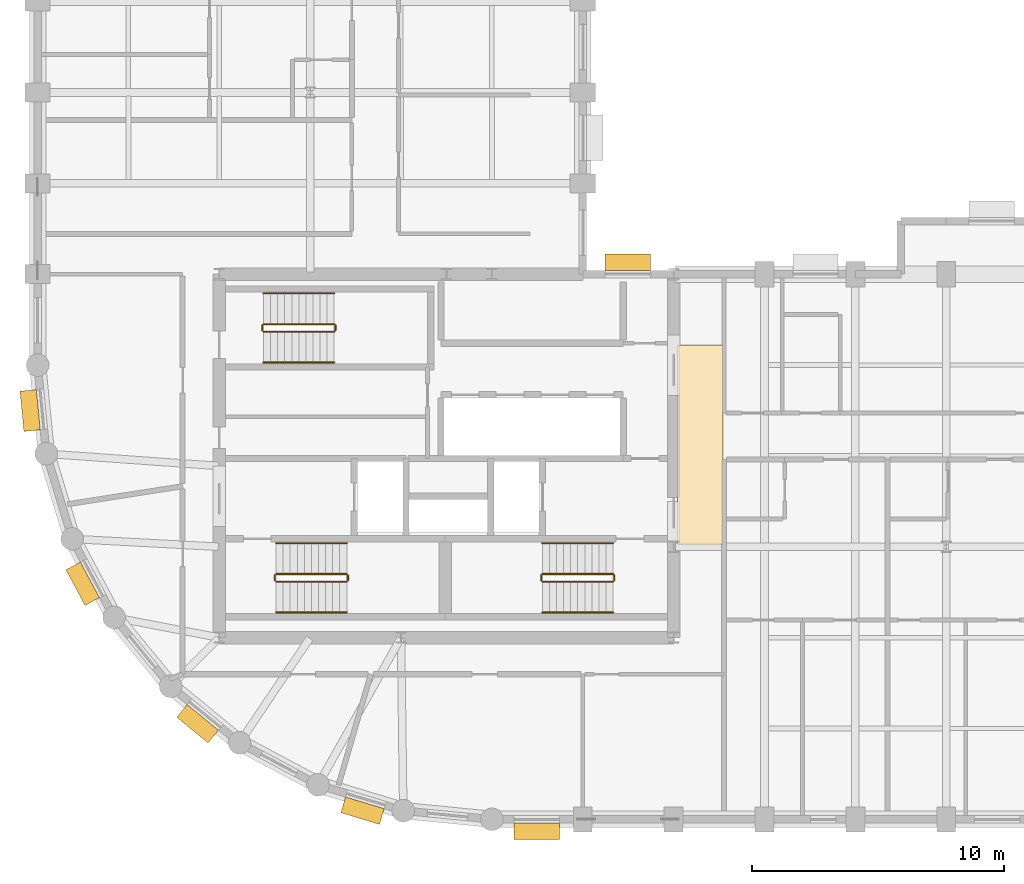
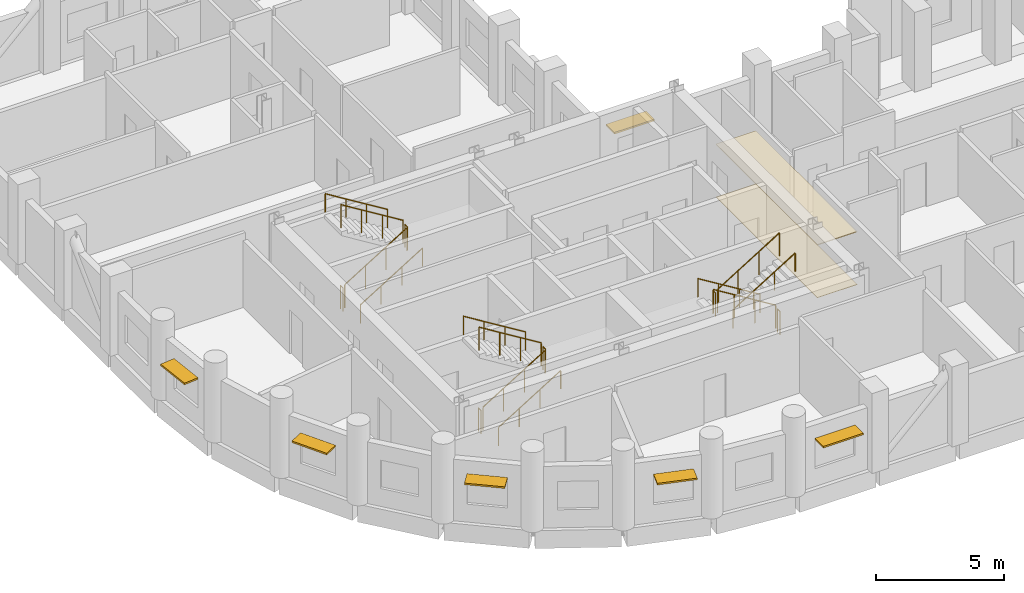
# One storey, part 8 of 9: 18 railings, 6 shading devices, 2 coverings.
"""IFC4 building model written with IfcOpenShell, lengths in metres."""

from ifc_helpers import new_model, si_unit, direction, frame, origin, origin_2d, place, context, subcontext, project, spatial, polyline, rectangle, circle, outline, extrude, material, layer, layer_set, type_object, element, save


model = new_model("IFC4")

# Units and contexts
model_context = context("Model", 3, precision=1e-05, world=origin(), true_north=direction((0.0, 1.0)))
body_context = subcontext(model_context, "Body", "Model", "MODEL_VIEW")
ifc_project = project(units=[si_unit("LENGTHUNIT", "METRE"), si_unit("AREAUNIT", "SQUARE_METRE"), si_unit("VOLUMEUNIT", "CUBIC_METRE"), si_unit("PLANEANGLEUNIT", "RADIAN"), si_unit("MASSUNIT", "GRAM", prefix="KILO")], contexts=[model_context])

# Site, building, storey
site_placement = place(None, origin())
site = spatial("IfcSite", under=ifc_project, at=site_placement, CompositionType="ELEMENT")
building_placement = place(site_placement, origin())
building = spatial("IfcBuilding", under=site, at=building_placement, Name="Solnavia Interchange Tower", CompositionType="ELEMENT")
storey_placement = place(building_placement, frame((0.0, 0.0, 142.800048828125)))
storey = spatial("IfcBuildingStorey", under=building, at=storey_placement, Name="L35", CompositionType="ELEMENT", Elevation=142.800048828125)

# Coverings
ifc_material_1 = material(Name="Perforated Mineral-Fibre & Gypsum Ceiling", Category="gypsum")
ifc_layer_1 = layer(ifc_material_1, 0.0400390625)
ifc_layer_set_1 = layer_set([ifc_layer_1], Name="Perforated Mineral-Fibre & Gypsum Ceiling")
covering_type_1 = type_object("IfcCoveringType", Name="Covering-Ceiling-Acoustic40", PredefinedType="CEILING", material=ifc_layer_set_1)
covering_1_placement = place(storey_placement, frame((0.0, 0.0, 2.5)))
element("IfcCovering", 1, at=covering_1_placement, inside=storey, type_object=covering_type_1, Name="CLG-L35-01 Circulation suspended acoustic ceiling", PredefinedType="CEILING", context=body_context, shape_type="SweptSolid", body=[
    extrude(outline(polyline([(32.550048828125, 14.5), (34.35009765625, 14.5), (34.35009765625, 22.39990234375), (32.550048828125, 22.39990234375), (32.550048828125, 14.5)])), origin(), (0.0, 0.0, 1.0), 0.0400390625),
])
ifc_material_2 = material(Name="Engineered European Oak Flooring", Category="wood")
ifc_layer_2 = layer(ifc_material_2, 0.02001953125)
ifc_layer_set_2 = layer_set([ifc_layer_2], Name="Engineered European Oak Flooring")
covering_type_2 = type_object("IfcCoveringType", Name="Covering-Flooring-Timber20", PredefinedType="FLOORING", material=ifc_layer_set_2)
covering_2_placement = place(storey_placement, origin())
element("IfcCovering", 2, at=covering_2_placement, inside=storey, type_object=covering_type_2, Name="FLR-L35-01 Circulation floor finish", PredefinedType="FLOORING", context=body_context, shape_type="SweptSolid", body=[
    extrude(outline(polyline([(32.550048828125, 14.5), (34.35009765625, 14.5), (34.35009765625, 22.39990234375), (32.550048828125, 22.39990234375), (32.550048828125, 14.5)])), origin(), (0.0, 0.0, 1.0), 0.02001953125),
])

# Railings
ifc_material_3 = material(Name="Painted Steel Balustrade", Category="steel")
railing_type_1 = type_object("IfcRailingType", Name="Railing-StairGuard-1100", PredefinedType="GUARDRAIL", material=ifc_material_3)
railing_1_placement = place(storey_placement, frame((16.64990234375, 13.02001953125, 0.172607421875)))
element("IfcRailing", 3, at=railing_1_placement, inside=storey, type_object=railing_type_1, Name="L35 ST-1 stair guard 1", PredefinedType="GUARDRAIL", context=body_context, shape_type="SweptSolid", body=[
    extrude(circle(Radius=0.02392578125, at=origin_2d()), frame((0.0, 0.0, 1.09619140625), z_axis=(0.851089632645, 0.0, 0.525020415988), x_axis=(0.0, 1.0, 0.0)), (0.0, 0.0, 1.0), 3.2900390625),
    extrude(circle(Radius=0.02099609375, at=origin_2d()), origin(), (0.0, 0.0, 1.0), 1.072021484375),
    extrude(circle(Radius=0.02099609375, at=origin_2d()), frame((0.933349609375, 0.0, 0.57568359375)), (0.0, 0.0, 1.0), 1.072021484375),
    extrude(circle(Radius=0.02099609375, at=origin_2d()), frame((1.86669921875, 0.0, 1.151611328125)), (0.0, 0.0, 1.0), 1.072021484375),
    extrude(circle(Radius=0.02099609375, at=origin_2d()), frame((2.800048828125, 0.0, 1.727294921875)), (0.0, 0.0, 1.0), 1.072021484375),
])
railing_2_placement = place(storey_placement, frame((19.5, 13.070068359375, 1.89990234375)))
element("IfcRailing", 4, at=railing_2_placement, inside=storey, type_object=railing_type_1, Name="L35 ST-1 stair guard 2", PredefinedType="GUARDRAIL", context=body_context, shape_type="SweptSolid", body=[
    extrude(circle(Radius=0.02392578125, at=origin_2d()), frame((0.0, 0.0, 1.09619140625), z_axis=(0.0, 1.0, 0.0), x_axis=(-1.0, 0.0, 0.0)), (0.0, 0.0, 1.0), 0.199951171875),
    extrude(circle(Radius=0.02099609375, at=origin_2d()), origin(), (0.0, 0.0, 1.0), 1.072021484375),
    extrude(circle(Radius=0.02099609375, at=origin_2d()), frame((0.0, 0.199951171875, 0.0)), (0.0, 0.0, 1.0), 1.072021484375),
])
railing_3_placement = place(storey_placement, frame((19.449951171875, 13.320068359375, 2.07275390625)))
element("IfcRailing", 5, at=railing_3_placement, inside=storey, type_object=railing_type_1, Name="L35 ST-1 stair guard 3", PredefinedType="GUARDRAIL", context=body_context, shape_type="SweptSolid", body=[
    extrude(circle(Radius=0.02392578125, at=origin_2d()), frame((0.0, 0.0, 1.09619140625), z_axis=(-0.851089632645, 0.0, 0.525020415988), x_axis=(0.0, -1.0, 0.0)), (0.0, 0.0, 1.0), 3.2900390625),
    extrude(circle(Radius=0.02099609375, at=origin_2d()), origin(), (0.0, 0.0, 1.0), 1.072021484375),
    extrude(circle(Radius=0.02099609375, at=origin_2d()), frame((-0.933349609375, 0.0, 0.57568359375)), (0.0, 0.0, 1.0), 1.072021484375),
    extrude(circle(Radius=0.02099609375, at=origin_2d()), frame((-1.86669921875, 0.0, 1.151611328125)), (0.0, 0.0, 1.0), 1.072021484375),
    extrude(circle(Radius=0.02099609375, at=origin_2d()), frame((-2.800048828125, 0.0, 1.727294921875)), (0.0, 0.0, 1.0), 1.072021484375),
])
railing_4_placement = place(storey_placement, frame((16.60009765625, 13.070068359375, 0.0)))
element("IfcRailing", 6, at=railing_4_placement, inside=storey, type_object=railing_type_1, Name="L35 ST-1 stair guard 4", PredefinedType="GUARDRAIL", context=body_context, shape_type="SweptSolid", body=[
    extrude(circle(Radius=0.02392578125, at=origin_2d()), frame((0.0, 0.0, 1.09619140625), z_axis=(0.0, 1.0, 0.0), x_axis=(-1.0, 0.0, 0.0)), (0.0, 0.0, 1.0), 0.199951171875),
    extrude(circle(Radius=0.02099609375, at=origin_2d()), origin(), (0.0, 0.0, 1.0), 1.072021484375),
    extrude(circle(Radius=0.02099609375, at=origin_2d()), frame((0.0, 0.199951171875, 0.0)), (0.0, 0.0, 1.0), 1.072021484375),
])
railing_5_placement = place(storey_placement, frame((30.0, 13.320068359375, 0.172607421875)))
element("IfcRailing", 7, at=railing_5_placement, inside=storey, type_object=railing_type_1, Name="L35 ST-2 stair guard 1", PredefinedType="GUARDRAIL", context=body_context, shape_type="SweptSolid", body=[
    extrude(circle(Radius=0.02392578125, at=origin_2d()), frame((0.0, 0.0, 1.09619140625), z_axis=(-0.851089632645, 0.0, 0.525020415988), x_axis=(0.0, -1.0, 0.0)), (0.0, 0.0, 1.0), 3.2900390625),
    extrude(circle(Radius=0.02099609375, at=origin_2d()), origin(), (0.0, 0.0, 1.0), 1.072021484375),
    extrude(circle(Radius=0.02099609375, at=origin_2d()), frame((-0.933349609375, 0.0, 0.57568359375)), (0.0, 0.0, 1.0), 1.072021484375),
    extrude(circle(Radius=0.02099609375, at=origin_2d()), frame((-1.86669921875, 0.0, 1.151611328125)), (0.0, 0.0, 1.0), 1.072021484375),
    extrude(circle(Radius=0.02099609375, at=origin_2d()), frame((-2.800048828125, 0.0, 1.727294921875)), (0.0, 0.0, 1.0), 1.072021484375),
])
railing_6_placement = place(storey_placement, frame((27.14990234375, 13.27001953125, 1.89990234375)))
element("IfcRailing", 8, at=railing_6_placement, inside=storey, type_object=railing_type_1, Name="L35 ST-2 stair guard 2", PredefinedType="GUARDRAIL", context=body_context, shape_type="SweptSolid", body=[
    extrude(circle(Radius=0.02392578125, at=origin_2d()), frame((0.0, 0.0, 1.09619140625), z_axis=(0.0, -1.0, 0.0), x_axis=(1.0, 0.0, 0.0)), (0.0, 0.0, 1.0), 0.199951171875),
    extrude(circle(Radius=0.02099609375, at=origin_2d()), origin(), (0.0, 0.0, 1.0), 1.072021484375),
    extrude(circle(Radius=0.02099609375, at=origin_2d()), frame((0.0, -0.199951171875, 0.0)), (0.0, 0.0, 1.0), 1.072021484375),
])
railing_7_placement = place(storey_placement, frame((27.199951171875, 13.02001953125, 2.07275390625)))
element("IfcRailing", 9, at=railing_7_placement, inside=storey, type_object=railing_type_1, Name="L35 ST-2 stair guard 3", PredefinedType="GUARDRAIL", context=body_context, shape_type="SweptSolid", body=[
    extrude(circle(Radius=0.02392578125, at=origin_2d()), frame((0.0, 0.0, 1.09619140625), z_axis=(0.851089632645, 0.0, 0.525020415988), x_axis=(0.0, 1.0, 0.0)), (0.0, 0.0, 1.0), 3.2900390625),
    extrude(circle(Radius=0.02099609375, at=origin_2d()), origin(), (0.0, 0.0, 1.0), 1.072021484375),
    extrude(circle(Radius=0.02099609375, at=origin_2d()), frame((0.933349609375, 0.0, 0.57568359375)), (0.0, 0.0, 1.0), 1.072021484375),
    extrude(circle(Radius=0.02099609375, at=origin_2d()), frame((1.86669921875, 0.0, 1.151611328125)), (0.0, 0.0, 1.0), 1.072021484375),
    extrude(circle(Radius=0.02099609375, at=origin_2d()), frame((2.800048828125, 0.0, 1.727294921875)), (0.0, 0.0, 1.0), 1.072021484375),
])
railing_8_placement = place(storey_placement, frame((30.050048828125, 13.27001953125, 0.0)))
element("IfcRailing", 10, at=railing_8_placement, inside=storey, type_object=railing_type_1, Name="L35 ST-2 stair guard 4", PredefinedType="GUARDRAIL", context=body_context, shape_type="SweptSolid", body=[
    extrude(circle(Radius=0.02392578125, at=origin_2d()), frame((0.0, 0.0, 1.09619140625), z_axis=(0.0, -1.0, 0.0), x_axis=(1.0, 0.0, 0.0)), (0.0, 0.0, 1.0), 0.199951171875),
    extrude(circle(Radius=0.02099609375, at=origin_2d()), origin(), (0.0, 0.0, 1.0), 1.072021484375),
    extrude(circle(Radius=0.02099609375, at=origin_2d()), frame((0.0, -0.199951171875, 0.0)), (0.0, 0.0, 1.0), 1.072021484375),
])
railing_9_placement = place(storey_placement, frame((16.14990234375, 22.919921875, 0.172607421875)))
element("IfcRailing", 11, at=railing_9_placement, inside=storey, type_object=railing_type_1, Name="L35 ST-3 stair guard 1", PredefinedType="GUARDRAIL", context=body_context, shape_type="SweptSolid", body=[
    extrude(circle(Radius=0.02392578125, at=origin_2d()), frame((0.0, 0.0, 1.09619140625), z_axis=(0.851089632645, 0.0, 0.525020415988), x_axis=(0.0, 1.0, 0.0)), (0.0, 0.0, 1.0), 3.2900390625),
    extrude(circle(Radius=0.02099609375, at=origin_2d()), origin(), (0.0, 0.0, 1.0), 1.072021484375),
    extrude(circle(Radius=0.02099609375, at=origin_2d()), frame((0.933349609375, 0.0, 0.57568359375)), (0.0, 0.0, 1.0), 1.072021484375),
    extrude(circle(Radius=0.02099609375, at=origin_2d()), frame((1.86669921875, 0.0, 1.151611328125)), (0.0, 0.0, 1.0), 1.072021484375),
    extrude(circle(Radius=0.02099609375, at=origin_2d()), frame((2.800048828125, 0.0, 1.727294921875)), (0.0, 0.0, 1.0), 1.072021484375),
])
railing_10_placement = place(storey_placement, frame((19.0, 22.969970703125, 1.89990234375)))
element("IfcRailing", 12, at=railing_10_placement, inside=storey, type_object=railing_type_1, Name="L35 ST-3 stair guard 2", PredefinedType="GUARDRAIL", context=body_context, shape_type="SweptSolid", body=[
    extrude(circle(Radius=0.02392578125, at=origin_2d()), frame((0.0, 0.0, 1.09619140625), z_axis=(0.0, 1.0, 0.0), x_axis=(-1.0, 0.0, 0.0)), (0.0, 0.0, 1.0), 0.199951171875),
    extrude(circle(Radius=0.02099609375, at=origin_2d()), origin(), (0.0, 0.0, 1.0), 1.072021484375),
    extrude(circle(Radius=0.02099609375, at=origin_2d()), frame((0.0, 0.199951171875, 0.0)), (0.0, 0.0, 1.0), 1.072021484375),
])
railing_11_placement = place(storey_placement, frame((18.949951171875, 23.219970703125, 2.07275390625)))
element("IfcRailing", 13, at=railing_11_placement, inside=storey, type_object=railing_type_1, Name="L35 ST-3 stair guard 3", PredefinedType="GUARDRAIL", context=body_context, shape_type="SweptSolid", body=[
    extrude(circle(Radius=0.02392578125, at=origin_2d()), frame((0.0, 0.0, 1.09619140625), z_axis=(-0.851089632645, 0.0, 0.525020415988), x_axis=(0.0, -1.0, 0.0)), (0.0, 0.0, 1.0), 3.2900390625),
    extrude(circle(Radius=0.02099609375, at=origin_2d()), origin(), (0.0, 0.0, 1.0), 1.072021484375),
    extrude(circle(Radius=0.02099609375, at=origin_2d()), frame((-0.933349609375, 0.0, 0.57568359375)), (0.0, 0.0, 1.0), 1.072021484375),
    extrude(circle(Radius=0.02099609375, at=origin_2d()), frame((-1.86669921875, 0.0, 1.151611328125)), (0.0, 0.0, 1.0), 1.072021484375),
    extrude(circle(Radius=0.02099609375, at=origin_2d()), frame((-2.800048828125, 0.0, 1.727294921875)), (0.0, 0.0, 1.0), 1.072021484375),
])
railing_12_placement = place(storey_placement, frame((16.10009765625, 22.969970703125, 0.0)))
element("IfcRailing", 14, at=railing_12_placement, inside=storey, type_object=railing_type_1, Name="L35 ST-3 stair guard 4", PredefinedType="GUARDRAIL", context=body_context, shape_type="SweptSolid", body=[
    extrude(circle(Radius=0.02392578125, at=origin_2d()), frame((0.0, 0.0, 1.09619140625), z_axis=(0.0, 1.0, 0.0), x_axis=(-1.0, 0.0, 0.0)), (0.0, 0.0, 1.0), 0.199951171875),
    extrude(circle(Radius=0.02099609375, at=origin_2d()), origin(), (0.0, 0.0, 1.0), 1.072021484375),
    extrude(circle(Radius=0.02099609375, at=origin_2d()), frame((0.0, 0.199951171875, 0.0)), (0.0, 0.0, 1.0), 1.072021484375),
])
ifc_material_4 = material(Name="Brushed Stainless Steel", Category="steel")
railing_type_2 = type_object("IfcRailingType", Name="Railing-StairHandrail-900", PredefinedType="HANDRAIL", material=ifc_material_4)
railing_13_placement = place(storey_placement, frame((16.64990234375, 11.800048828125, 0.172607421875)))
element("IfcRailing", 15, at=railing_13_placement, inside=storey, type_object=railing_type_2, Name="L35 ST-1 stair handrail 1", PredefinedType="HANDRAIL", context=body_context, shape_type="SweptSolid", body=[
    extrude(circle(Radius=0.02392578125, at=origin_2d()), frame((0.0, 0.0, 0.8759765625), z_axis=(0.851089632645, 0.0, 0.525020415988), x_axis=(0.0, 1.0, 0.0)), (0.0, 0.0, 1.0), 3.2900390625),
    extrude(circle(Radius=0.02099609375, at=origin_2d()), origin(), (0.0, 0.0, 1.0), 0.851806640625),
    extrude(circle(Radius=0.02099609375, at=origin_2d()), frame((0.933349609375, 0.0, 0.57568359375)), (0.0, 0.0, 1.0), 0.851806640625),
    extrude(circle(Radius=0.02099609375, at=origin_2d()), frame((1.86669921875, 0.0, 1.151611328125)), (0.0, 0.0, 1.0), 0.851806640625),
    extrude(circle(Radius=0.02099609375, at=origin_2d()), frame((2.800048828125, 0.0, 1.727294921875)), (0.0, 0.0, 1.0), 0.851806640625),
])
for number, where, name in (
    (16, (19.449951171875, 14.5400390625, 2.07275390625), "L35 ST-1 stair handrail 2"),
    (17, (30.0, 14.5400390625, 0.172607421875), "L35 ST-2 stair handrail 1"),
):
    element("IfcRailing", number, at=place(storey_placement, frame(where)), inside=storey, type_object=railing_type_2, Name=name, PredefinedType="HANDRAIL", context=body_context, shape_type="SweptSolid", body=[
        extrude(circle(Radius=0.02392578125, at=origin_2d()), frame((0.0, 0.0, 0.8759765625), z_axis=(-0.851089632645, 0.0, 0.525020415988), x_axis=(0.0, -1.0, 0.0)), (0.0, 0.0, 1.0), 3.2900390625),
        extrude(circle(Radius=0.02099609375, at=origin_2d()), origin(), (0.0, 0.0, 1.0), 0.851806640625),
        extrude(circle(Radius=0.02099609375, at=origin_2d()), frame((-0.933349609375, 0.0, 0.57568359375)), (0.0, 0.0, 1.0), 0.851806640625),
        extrude(circle(Radius=0.02099609375, at=origin_2d()), frame((-1.86669921875, 0.0, 1.151611328125)), (0.0, 0.0, 1.0), 0.851806640625),
        extrude(circle(Radius=0.02099609375, at=origin_2d()), frame((-2.800048828125, 0.0, 1.727294921875)), (0.0, 0.0, 1.0), 0.851806640625),
    ])
for number, where, name in (
    (18, (27.199951171875, 11.800048828125, 2.07275390625), "L35 ST-2 stair handrail 2"),
    (19, (16.14990234375, 21.699951171875, 0.172607421875), "L35 ST-3 stair handrail 1"),
):
    element("IfcRailing", number, at=place(storey_placement, frame(where)), inside=storey, type_object=railing_type_2, Name=name, PredefinedType="HANDRAIL", context=body_context, shape_type="SweptSolid", body=[
        extrude(circle(Radius=0.02392578125, at=origin_2d()), frame((0.0, 0.0, 0.8759765625), z_axis=(0.851089632645, 0.0, 0.525020415988), x_axis=(0.0, 1.0, 0.0)), (0.0, 0.0, 1.0), 3.2900390625),
        extrude(circle(Radius=0.02099609375, at=origin_2d()), origin(), (0.0, 0.0, 1.0), 0.851806640625),
        extrude(circle(Radius=0.02099609375, at=origin_2d()), frame((0.933349609375, 0.0, 0.57568359375)), (0.0, 0.0, 1.0), 0.851806640625),
        extrude(circle(Radius=0.02099609375, at=origin_2d()), frame((1.86669921875, 0.0, 1.151611328125)), (0.0, 0.0, 1.0), 0.851806640625),
        extrude(circle(Radius=0.02099609375, at=origin_2d()), frame((2.800048828125, 0.0, 1.727294921875)), (0.0, 0.0, 1.0), 0.851806640625),
    ])
railing_14_placement = place(storey_placement, frame((18.949951171875, 24.43994140625, 2.07275390625)))
element("IfcRailing", 20, at=railing_14_placement, inside=storey, type_object=railing_type_2, Name="L35 ST-3 stair handrail 2", PredefinedType="HANDRAIL", context=body_context, shape_type="SweptSolid", body=[
    extrude(circle(Radius=0.02392578125, at=origin_2d()), frame((0.0, 0.0, 0.8759765625), z_axis=(-0.851089632645, 0.0, 0.525020415988), x_axis=(0.0, -1.0, 0.0)), (0.0, 0.0, 1.0), 3.2900390625),
    extrude(circle(Radius=0.02099609375, at=origin_2d()), origin(), (0.0, 0.0, 1.0), 0.851806640625),
    extrude(circle(Radius=0.02099609375, at=origin_2d()), frame((-0.933349609375, 0.0, 0.57568359375)), (0.0, 0.0, 1.0), 0.851806640625),
    extrude(circle(Radius=0.02099609375, at=origin_2d()), frame((-1.86669921875, 0.0, 1.151611328125)), (0.0, 0.0, 1.0), 0.851806640625),
    extrude(circle(Radius=0.02099609375, at=origin_2d()), frame((-2.800048828125, 0.0, 1.727294921875)), (0.0, 0.0, 1.0), 0.851806640625),
])

# Shading devices
ifc_material_5 = material(Name="Anodised Aluminium Sunshade", Category="aluminium")
ifc_layer_3 = layer(ifc_material_5, 0.080078125)
ifc_layer_set_3 = layer_set([ifc_layer_3], Name="Anodised Aluminium Sunshade")
shading_device_type = type_object("IfcShadingDeviceType", Name="Sunshade-Band-650", PredefinedType="SHUTTER", material=ifc_layer_set_3)
for number, where, z_axis, x_axis, name in (
    (21, (26.97509765625, 3.1298828125, 2.219970703125), (0.0, 0.0, 1.0), (-1.0, 0.0, 0.0), "SHD-L35-01 Horizontal sunshade band"),
    (22, (30.583984375, 25.669921875, 2.219970703125), (0.0, 0.0, 1.0), (1.0, 0.0, 0.0), "SHD-L35-29 Horizontal sunshade band"),
):
    element("IfcShadingDevice", number, at=place(storey_placement, frame(where, z_axis=z_axis, x_axis=x_axis)), inside=storey, type_object=shading_device_type, Name=name, PredefinedType="SHUTTER", context=body_context, shape_type="SweptSolid", body=[
        extrude(rectangle(XDim=1.800048828125, YDim=0.64990234375, at=origin_2d()), origin(), (0.0, 0.0, 1.0), 0.080078125),
    ])
for number, where, z_axis, x_axis, name in (
    (23, (6.9052734375, 19.79833984375, 2.219970703125), (0.0, 0.0, 1.0), (-0.098103986207, 0.995176169274, 0.0), "SHD-L35-51 Horizontal sunshade band"),
    (24, (8.98779296875, 12.93408203125, 2.219970703125), (0.0, 0.0, 1.0), (-0.47147369718, 0.881880123865, 0.0), "SHD-L35-53 Horizontal sunshade band"),
    (25, (13.5380859375, 7.389404296875, 2.219970703125), (0.0, 0.0, 1.0), (-0.773176510644, 0.634190888762, 0.0), "SHD-L35-55 Horizontal sunshade band"),
    (26, (20.07421875, 3.9443359375, 2.219970703125), (0.0, 0.0, 1.0), (-0.956965664205, 0.290201167351, 0.0), "SHD-L35-57 Horizontal sunshade band"),
):
    element("IfcShadingDevice", number, at=place(storey_placement, frame(where, z_axis=z_axis, x_axis=x_axis)), inside=storey, type_object=shading_device_type, Name=name, PredefinedType="SHUTTER", context=body_context, shape_type="SweptSolid", body=[
        extrude(rectangle(XDim=1.60009765625, YDim=0.64990234375, at=origin_2d()), origin(), (0.0, 0.0, 1.0), 0.080078125),
    ])

save(model, "model.ifc")
